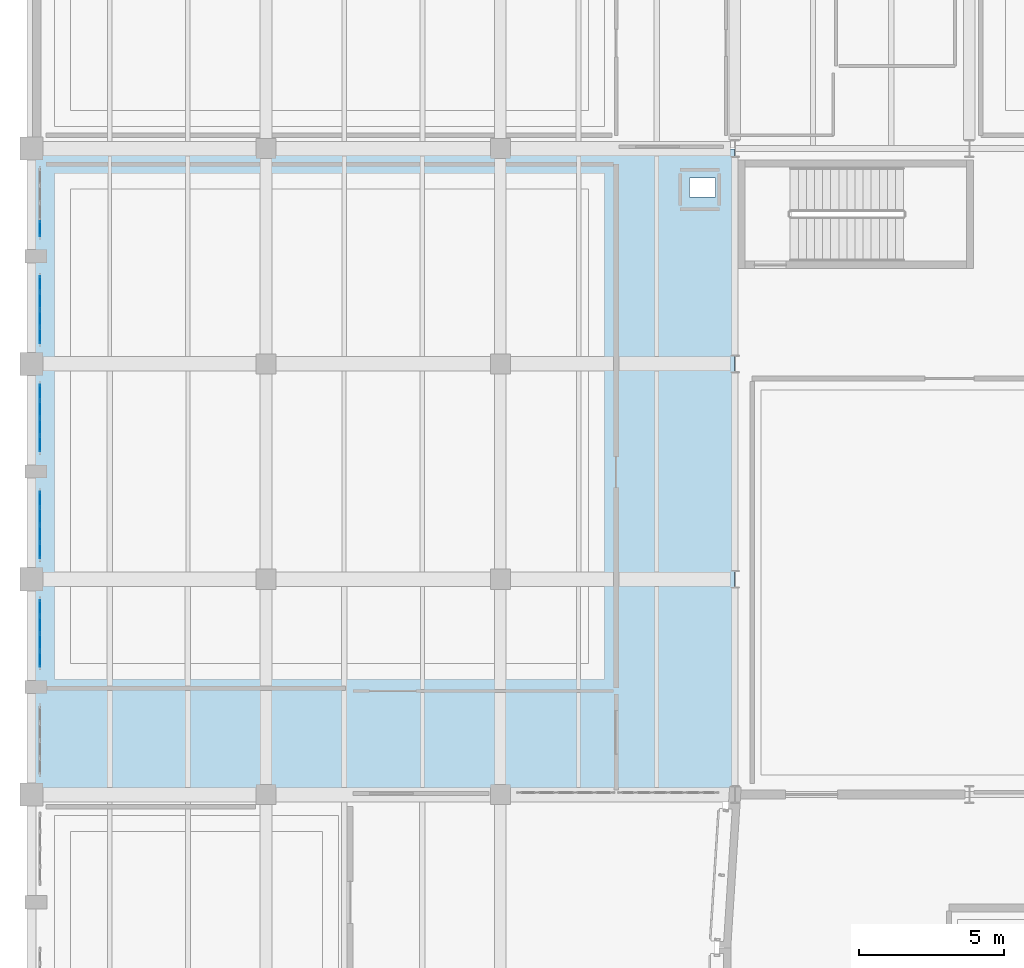
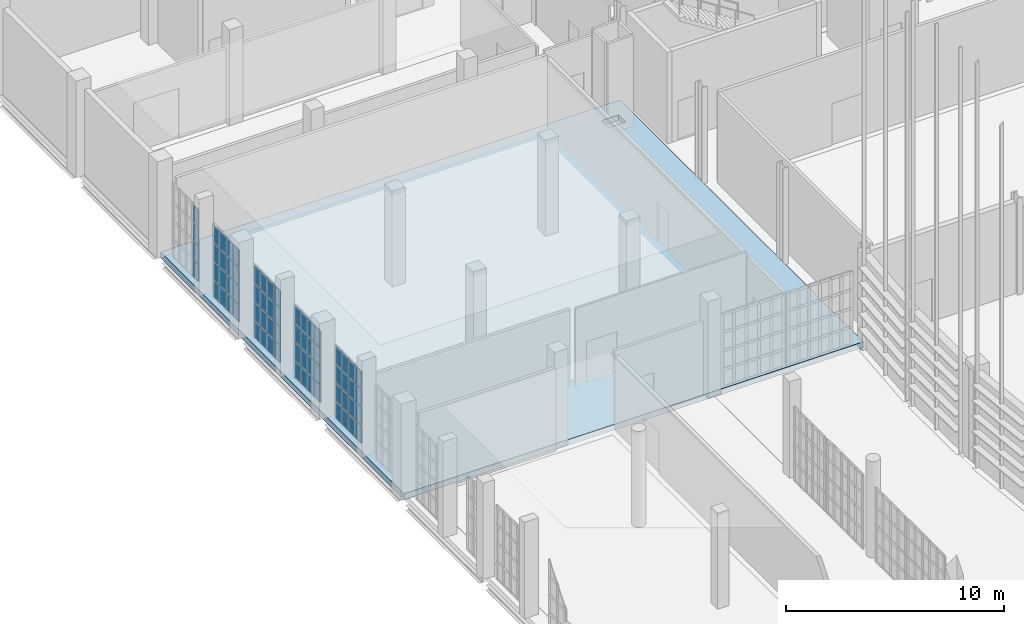
# One storey, part 336 of 372: 68 plates, 1 slab, 5 elements without a shape of their own.
"""IFC4 building model written with IfcOpenShell, lengths in metres."""

import ifcopenshell
import ifcopenshell.guid

model = None  # the IFC model being written
_history = None  # IfcOwnerHistory: only IFC2X3 demands one
_inside = {}  # id of a spatial element -> (the spatial element, [elements in it])
_under = {}  # id of a project, library or spatial element -> (it, [spatial elements below it])
_declared = {}  # id of a project -> (the project, [libraries it declares])
_typed = {}  # id of a type object -> (the type object, [elements of that type])
_made_of = {}  # id of a material, layer set ... -> (it, [elements and type objects made of it])


def new_model(schema):
    """Start an empty IFC model of exactly this schema.

    Asked for "IFC4X3", IfcOpenShell would pick the latest addendum, in which some entities
    have other attributes; the version numbers below select the first issue.
    IFC2X3 requires an IfcOwnerHistory on every rooted entity: one is made here for all.
    """
    global model, _history
    if schema == "IFC4X3":
        model = ifcopenshell.file(schema_version=(4, 3, 0, 0))
    else:
        model = ifcopenshell.file(schema=schema)
    _inside.clear()
    _under.clear()
    _declared.clear()
    _typed.clear()
    _made_of.clear()
    _history = None
    if model.schema == "IFC2X3":
        org = make("IfcOrganization", Name="unknown")
        user = make(
            "IfcPersonAndOrganization",
            ThePerson=make("IfcPerson", FamilyName="unknown"),
            TheOrganization=org,
        )
        app = make(
            "IfcApplication",
            ApplicationDeveloper=org,
            Version="unknown",
            ApplicationFullName="unknown",
            ApplicationIdentifier="unknown",
        )
        _history = make(
            "IfcOwnerHistory",
            OwningUser=user,
            OwningApplication=app,
            ChangeAction="ADDED",
            CreationDate=0,
        )
    return model


def make(cls, **values):
    """One entity of the class cls with the attributes given. An attribute that is None is left unset."""
    return model.create_entity(
        cls, **{name: value for name, value in values.items() if value is not None}
    )


def rooted(cls, **values):
    """An entity with a GlobalId (a new one), such as an element, a storey or a relation."""
    return make(cls, GlobalId=ifcopenshell.guid.new(), OwnerHistory=_history, **values)


def si_unit(unit_type, name, prefix=None):
    """IfcSIUnit, for example si_unit("LENGTHUNIT", "METRE", prefix="MILLI")."""
    return make("IfcSIUnit", UnitType=unit_type, Prefix=prefix, Name=name)


def assignment(units):
    """IfcUnitAssignment: the units of a project."""
    return None if units is None else make("IfcUnitAssignment", Units=units)


def point(xyz):
    """IfcCartesianPoint."""
    return None if xyz is None else make("IfcCartesianPoint", Coordinates=xyz)


def direction(xyz):
    """IfcDirection."""
    return None if xyz is None else make("IfcDirection", DirectionRatios=xyz)


def frame(location, z_axis=None, x_axis=None):
    """IfcAxis2Placement3D, a coordinate frame: its origin and axes. An axis left out is left unset."""
    return make(
        "IfcAxis2Placement3D",
        Location=point(location),
        Axis=direction(z_axis),
        RefDirection=direction(x_axis),
    )


def frame_2d(location, x_axis=None):
    """IfcAxis2Placement2D, a coordinate frame in the plane: its origin and x axis."""
    return make(
        "IfcAxis2Placement2D", Location=point(location), RefDirection=direction(x_axis)
    )


def origin():
    """The frame at (0, 0, 0) with its axes left unset."""
    return frame((0.0, 0.0, 0.0))


def origin_2d():
    """The frame at (0, 0) in the plane with its x axis left unset."""
    return frame_2d((0.0, 0.0))


def place(relative_to, where):
    """IfcLocalPlacement: puts the frame where relative to a parent placement (None: the world)."""
    return make(
        "IfcLocalPlacement", PlacementRelTo=relative_to, RelativePlacement=where
    )


def context(
    kind, dimensions, precision=None, world=None, true_north=None, identifier=None
):
    """IfcGeometricRepresentationContext, for example the 3D "Model" context."""
    return make(
        "IfcGeometricRepresentationContext",
        ContextIdentifier=identifier,
        ContextType=kind,
        CoordinateSpaceDimension=dimensions,
        Precision=precision,
        WorldCoordinateSystem=world,
        TrueNorth=true_north,
    )


def subcontext(parent, identifier, kind, view, scale=None):
    """IfcGeometricRepresentationSubContext, for example "Body" below "Model"."""
    return make(
        "IfcGeometricRepresentationSubContext",
        ContextIdentifier=identifier,
        ContextType=kind,
        ParentContext=parent,
        TargetScale=scale,
        TargetView=view,
    )


def project(units=None, contexts=None):
    """IfcProject with its units and contexts."""
    return rooted(
        "IfcProject",
        Name="project",
        RepresentationContexts=contexts,
        UnitsInContext=assignment(units),
    )


def spatial(cls, under=None, at=None, **own):
    """A site, building, storey or space (cls), placed at a placement, below another one or the project."""
    s = rooted(cls, ObjectPlacement=at, **own)
    if under is not None:
        _under.setdefault(under.id(), (under, []))[1].append(s)
    return s


def polyline(points):
    """IfcPolyline through the points."""
    return make("IfcPolyline", Points=[point(p) for p in points])


def profile(cls, at=None, kind="AREA", **sizes):
    """A parametric profile (cls). Its sizes go by their IFC names, for example OverallWidth=200.0."""
    return make(cls, ProfileType=kind, Position=at, **sizes)


def rectangle(**sizes):
    """IfcRectangleProfileDef."""
    return profile("IfcRectangleProfileDef", **sizes)


def outline(outer, holes=None, kind="AREA"):
    """IfcArbitraryClosedProfileDef: a profile drawn as a closed curve; with holes, ...WithVoids."""
    if holes is None:
        return make("IfcArbitraryClosedProfileDef", ProfileType=kind, OuterCurve=outer)
    return make(
        "IfcArbitraryProfileDefWithVoids",
        ProfileType=kind,
        OuterCurve=outer,
        InnerCurves=holes,
    )


def extrude(swept, where, along, depth):
    """IfcExtrudedAreaSolid: the profile swept, set in the frame where, extruded along a direction by depth."""
    return make(
        "IfcExtrudedAreaSolid",
        SweptArea=swept,
        Position=where,
        ExtrudedDirection=direction(along),
        Depth=depth,
    )


def shape(context_of_items, identifier, shape_type, items):
    """IfcShapeRepresentation: the items that make up one representation, for example the "Body"."""
    return make(
        "IfcShapeRepresentation",
        ContextOfItems=context_of_items,
        RepresentationIdentifier=identifier,
        RepresentationType=shape_type,
        Items=items,
    )


def material(Name=None, Category=None):
    """IfcMaterial."""
    return make("IfcMaterial", Name=Name, Category=Category)


def layer(
    of_material, thickness, ventilated=None, Name=None, Category=None, Priority=None
):
    """IfcMaterialLayer: one layer of a wall or slab, of a material (None: an air gap)."""
    return make(
        "IfcMaterialLayer",
        Material=of_material,
        LayerThickness=thickness,
        IsVentilated=ventilated,
        Name=Name,
        Category=Category,
        Priority=Priority,
    )


def layer_set(layers, Name=None):
    """IfcMaterialLayerSet."""
    return make("IfcMaterialLayerSet", MaterialLayers=layers, LayerSetName=Name)


def made_of(thing, what):
    """Note that an element or type object is made of a material, layer set ...; save() writes the relation."""
    if what is not None:
        _made_of.setdefault(what.id(), (what, []))[1].append(thing)
    return thing


def type_object(cls, material=None, **own):
    """A type object (cls), such as IfcWallType, which elements share."""
    return made_of(rooted(cls, **own), material)


def element(
    cls,
    number,
    at=None,
    inside=None,
    cuts=None,
    type_object=None,
    material=None,
    context=None,
    identifier="Body",
    shape_type=None,
    held_by="IfcProductDefinitionShape",
    body=None,
    shapes=None,
    **own,
):
    """One element of the class cls, such as IfcWall. Its Tag is "e" and its number.

    at: its placement. inside: the storey or other place that contains it. cuts: it is an
    opening in that element (IfcRelVoidsElement). A single representation is given by context,
    identifier, shape_type and body (its items); several are given by shapes. held_by: the class
    of the entity that holds the representations. save() writes the other relations.
    """
    e = rooted(cls, Tag="e%d" % number, ObjectPlacement=at, **own)
    if body is not None:
        shapes = [shape(context, identifier, shape_type, body)]
    if shapes is not None:
        e.Representation = make(held_by, Representations=shapes)
    if inside is not None:
        _inside.setdefault(inside.id(), (inside, []))[1].append(e)
    if cuts is not None:
        rooted(
            "IfcRelVoidsElement", RelatingBuildingElement=cuts, RelatedOpeningElement=e
        )
    if type_object is not None:
        _typed.setdefault(type_object.id(), (type_object, []))[1].append(e)
    return made_of(e, material)


def aggregate(whole, parts):
    """IfcRelAggregates: a whole, such as a stair, and the parts it consists of."""
    return rooted("IfcRelAggregates", RelatingObject=whole, RelatedObjects=parts)


def save(model, path):
    """Write the relations noted so far, then the file.

    IfcRelAggregates (storeys below a building ...), IfcRelContainedInSpatialStructure (elements
    in a storey), IfcRelDefinesByType, IfcRelAssociatesMaterial and IfcRelDeclares: one each for
    every whole, place, type object, material and project.
    """
    for whole, parts in _under.values():
        aggregate(whole, parts)
    for where, things in _inside.values():
        rooted(
            "IfcRelContainedInSpatialStructure",
            RelatedElements=things,
            RelatingStructure=where,
        )
    for kind, things in _typed.values():
        rooted("IfcRelDefinesByType", RelatedObjects=things, RelatingType=kind)
    for what, things in _made_of.values():
        rooted("IfcRelAssociatesMaterial", RelatedObjects=things, RelatingMaterial=what)
    for by, libraries in _declared.values():
        rooted("IfcRelDeclares", RelatingContext=by, RelatedDefinitions=libraries)
    model.write(path)


model = new_model("IFC4")

# Units and contexts
model_context = context("Model", 3, precision=1e-05, world=origin(), true_north=direction((0.0, 1.0)))
body_context = subcontext(model_context, "Body", "Model", "MODEL_VIEW")
ifc_project = project(units=[si_unit("LENGTHUNIT", "METRE"), si_unit("AREAUNIT", "SQUARE_METRE"), si_unit("VOLUMEUNIT", "CUBIC_METRE"), si_unit("PLANEANGLEUNIT", "RADIAN"), si_unit("MASSUNIT", "GRAM", prefix="KILO")], contexts=[model_context])

# Site, building, storey
site_placement = place(None, origin())
site = spatial("IfcSite", under=ifc_project, at=site_placement, CompositionType="ELEMENT")
building_placement = place(site_placement, origin())
building = spatial("IfcBuilding", under=site, at=building_placement, Name="Kaelora Sail Theatre", CompositionType="ELEMENT")
storey_placement = place(building_placement, origin())
storey = spatial("IfcBuildingStorey", under=building, at=storey_placement, Name="L00", CompositionType="ELEMENT", Elevation=0.0)

# Curtain wall, plates
ifc_material_1 = material(Name="Anodised aluminium and solar-control low-E IGU", Category="aluminium")
curtain_wall_type = type_object("IfcCurtainWallType", Name="ARC-CW-CW-FOY1", PredefinedType="NOTDEFINED", material=ifc_material_1)
curtain_wall_1_placement = place(storey_placement, origin())
curtain_wall_1 = element("IfcCurtainWall", 1, at=curtain_wall_1_placement, inside=storey, type_object=curtain_wall_type, Name="Glazed Colonnade/Courtyard Curtain Wall FW1-W-L00-02", PredefinedType="NOTDEFINED")
ifc_material_2 = material(Name="Solar-control laminated low-E glass", Category="glass")
ifc_layer_1 = layer(ifc_material_2, 0.031982421875)
ifc_layer_set_1 = layer_set([ifc_layer_1], Name="Solar-control laminated low-E glass")
plate_type = type_object("IfcPlateType", Name="ARC-CW-PNL", PredefinedType="CURTAIN_PANEL", material=ifc_layer_set_1)
plate_1_placement = place(storey_placement, frame((1.7900390625, 65.693115234375, 0.070068359375), z_axis=(0.0, 0.0, 1.0), x_axis=(0.0, 1.0, 0.0)))
plate_1 = element("IfcPlate", 2, at=plate_1_placement, type_object=plate_type, Name="CW-FOY1 panel 1.1", PredefinedType="CURTAIN_PANEL", context=body_context, shape_type="SweptSolid", body=[
    extrude(rectangle(XDim=0.516357421875, YDim=0.031982421875, at=origin_2d()), origin(), (0.0, 0.0, 1.0), 0.92919921875),
])
plate_2_placement = place(storey_placement, frame((1.7900390625, 65.693115234375, 1.069091796875), z_axis=(0.0, 0.0, 1.0), x_axis=(0.0, 1.0, 0.0)))
plate_2 = element("IfcPlate", 3, at=plate_2_placement, type_object=plate_type, Name="CW-FOY1 panel 1.2", PredefinedType="CURTAIN_PANEL", context=body_context, shape_type="SweptSolid", body=[
    extrude(rectangle(XDim=0.516357421875, YDim=0.031982421875, at=origin_2d()), origin(), (0.0, 0.0, 1.0), 0.96435546875),
])
plate_3_placement = place(storey_placement, frame((1.7900390625, 65.693115234375, 2.103515625), z_axis=(0.0, 0.0, 1.0), x_axis=(0.0, 1.0, 0.0)))
plate_3 = element("IfcPlate", 4, at=plate_3_placement, type_object=plate_type, Name="CW-FOY1 panel 1.3", PredefinedType="CURTAIN_PANEL", context=body_context, shape_type="SweptSolid", body=[
    extrude(rectangle(XDim=0.516357421875, YDim=0.031982421875, at=origin_2d()), origin(), (0.0, 0.0, 1.0), 0.964111328125),
])
plate_4_placement = place(storey_placement, frame((1.7900390625, 65.693115234375, 3.1376953125), z_axis=(0.0, 0.0, 1.0), x_axis=(0.0, 1.0, 0.0)))
plate_4 = element("IfcPlate", 5, at=plate_4_placement, type_object=plate_type, Name="CW-FOY1 panel 1.4", PredefinedType="CURTAIN_PANEL", context=body_context, shape_type="SweptSolid", body=[
    extrude(rectangle(XDim=0.516357421875, YDim=0.031982421875, at=origin_2d()), origin(), (0.0, 0.0, 1.0), 0.92919921875),
])
plate_5_placement = place(storey_placement, frame((1.7900390625, 66.284423828125, 0.070068359375), z_axis=(0.0, 0.0, 1.0), x_axis=(0.0, 1.0, 0.0)))
plate_5 = element("IfcPlate", 6, at=plate_5_placement, type_object=plate_type, Name="CW-FOY1 panel 2.1", PredefinedType="CURTAIN_PANEL", context=body_context, shape_type="SweptSolid", body=[
    extrude(rectangle(XDim=0.546142578125, YDim=0.031982421875, at=origin_2d()), origin(), (0.0, 0.0, 1.0), 0.92919921875),
])
plate_6_placement = place(storey_placement, frame((1.7900390625, 66.284423828125, 1.069091796875), z_axis=(0.0, 0.0, 1.0), x_axis=(0.0, 1.0, 0.0)))
plate_6 = element("IfcPlate", 7, at=plate_6_placement, type_object=plate_type, Name="CW-FOY1 panel 2.2", PredefinedType="CURTAIN_PANEL", context=body_context, shape_type="SweptSolid", body=[
    extrude(rectangle(XDim=0.546142578125, YDim=0.031982421875, at=origin_2d()), origin(), (0.0, 0.0, 1.0), 0.96435546875),
])
plate_7_placement = place(storey_placement, frame((1.7900390625, 66.284423828125, 2.103515625), z_axis=(0.0, 0.0, 1.0), x_axis=(0.0, 1.0, 0.0)))
plate_7 = element("IfcPlate", 8, at=plate_7_placement, type_object=plate_type, Name="CW-FOY1 panel 2.3", PredefinedType="CURTAIN_PANEL", context=body_context, shape_type="SweptSolid", body=[
    extrude(rectangle(XDim=0.546142578125, YDim=0.031982421875, at=origin_2d()), origin(), (0.0, 0.0, 1.0), 0.964111328125),
])
plate_8_placement = place(storey_placement, frame((1.7900390625, 66.284423828125, 3.1376953125), z_axis=(0.0, 0.0, 1.0), x_axis=(0.0, 1.0, 0.0)))
plate_8 = element("IfcPlate", 9, at=plate_8_placement, type_object=plate_type, Name="CW-FOY1 panel 2.4", PredefinedType="CURTAIN_PANEL", context=body_context, shape_type="SweptSolid", body=[
    extrude(rectangle(XDim=0.546142578125, YDim=0.031982421875, at=origin_2d()), origin(), (0.0, 0.0, 1.0), 0.92919921875),
])
plate_9_placement = place(storey_placement, frame((1.7900390625, 66.890625, 0.070068359375), z_axis=(0.0, 0.0, 1.0), x_axis=(0.0, 1.0, 0.0)))
plate_9 = element("IfcPlate", 10, at=plate_9_placement, type_object=plate_type, Name="CW-FOY1 panel 3.1", PredefinedType="CURTAIN_PANEL", context=body_context, shape_type="SweptSolid", body=[
    extrude(rectangle(XDim=0.546142578125, YDim=0.031982421875, at=origin_2d()), origin(), (0.0, 0.0, 1.0), 0.92919921875),
])
plate_10_placement = place(storey_placement, frame((1.7900390625, 66.890625, 1.069091796875), z_axis=(0.0, 0.0, 1.0), x_axis=(0.0, 1.0, 0.0)))
plate_10 = element("IfcPlate", 11, at=plate_10_placement, type_object=plate_type, Name="CW-FOY1 panel 3.2", PredefinedType="CURTAIN_PANEL", context=body_context, shape_type="SweptSolid", body=[
    extrude(rectangle(XDim=0.546142578125, YDim=0.031982421875, at=origin_2d()), origin(), (0.0, 0.0, 1.0), 0.96435546875),
])
plate_11_placement = place(storey_placement, frame((1.7900390625, 66.890625, 2.103515625), z_axis=(0.0, 0.0, 1.0), x_axis=(0.0, 1.0, 0.0)))
plate_11 = element("IfcPlate", 12, at=plate_11_placement, type_object=plate_type, Name="CW-FOY1 panel 3.3", PredefinedType="CURTAIN_PANEL", context=body_context, shape_type="SweptSolid", body=[
    extrude(rectangle(XDim=0.546142578125, YDim=0.031982421875, at=origin_2d()), origin(), (0.0, 0.0, 1.0), 0.964111328125),
])
plate_12_placement = place(storey_placement, frame((1.7900390625, 66.890625, 3.1376953125), z_axis=(0.0, 0.0, 1.0), x_axis=(0.0, 1.0, 0.0)))
plate_12 = element("IfcPlate", 13, at=plate_12_placement, type_object=plate_type, Name="CW-FOY1 panel 3.4", PredefinedType="CURTAIN_PANEL", context=body_context, shape_type="SweptSolid", body=[
    extrude(rectangle(XDim=0.546142578125, YDim=0.031982421875, at=origin_2d()), origin(), (0.0, 0.0, 1.0), 0.92919921875),
])
plate_13_placement = place(storey_placement, frame((1.7900390625, 67.48193359375, 0.070068359375), z_axis=(0.0, 0.0, 1.0), x_axis=(0.0, 1.0, 0.0)))
plate_13 = element("IfcPlate", 14, at=plate_13_placement, type_object=plate_type, Name="CW-FOY1 panel 4.1", PredefinedType="CURTAIN_PANEL", context=body_context, shape_type="SweptSolid", body=[
    extrude(rectangle(XDim=0.516357421875, YDim=0.031982421875, at=origin_2d()), origin(), (0.0, 0.0, 1.0), 0.92919921875),
])
plate_14_placement = place(storey_placement, frame((1.7900390625, 67.48193359375, 1.069091796875), z_axis=(0.0, 0.0, 1.0), x_axis=(0.0, 1.0, 0.0)))
plate_14 = element("IfcPlate", 15, at=plate_14_placement, type_object=plate_type, Name="CW-FOY1 panel 4.2", PredefinedType="CURTAIN_PANEL", context=body_context, shape_type="SweptSolid", body=[
    extrude(rectangle(XDim=0.516357421875, YDim=0.031982421875, at=origin_2d()), origin(), (0.0, 0.0, 1.0), 0.96435546875),
])
plate_15_placement = place(storey_placement, frame((1.7900390625, 67.48193359375, 2.103515625), z_axis=(0.0, 0.0, 1.0), x_axis=(0.0, 1.0, 0.0)))
plate_15 = element("IfcPlate", 16, at=plate_15_placement, type_object=plate_type, Name="CW-FOY1 panel 4.3", PredefinedType="CURTAIN_PANEL", context=body_context, shape_type="SweptSolid", body=[
    extrude(rectangle(XDim=0.516357421875, YDim=0.031982421875, at=origin_2d()), origin(), (0.0, 0.0, 1.0), 0.964111328125),
])
plate_16_placement = place(storey_placement, frame((1.7900390625, 67.48193359375, 3.1376953125), z_axis=(0.0, 0.0, 1.0), x_axis=(0.0, 1.0, 0.0)))
plate_16 = element("IfcPlate", 17, at=plate_16_placement, type_object=plate_type, Name="CW-FOY1 panel 4.4", PredefinedType="CURTAIN_PANEL", context=body_context, shape_type="SweptSolid", body=[
    extrude(rectangle(XDim=0.516357421875, YDim=0.031982421875, at=origin_2d()), origin(), (0.0, 0.0, 1.0), 0.92919921875),
])
aggregate(curtain_wall_1, [plate_1, plate_2, plate_3, plate_4, plate_5, plate_6, plate_7, plate_8, plate_9, plate_10, plate_11, plate_12, plate_13, plate_14, plate_15, plate_16])

curtain_wall_2_placement = place(storey_placement, origin())
curtain_wall_2 = element("IfcCurtainWall", 18, at=curtain_wall_2_placement, inside=storey, type_object=curtain_wall_type, Name="Glazed Colonnade/Courtyard Curtain Wall FW1-W-L00-03", PredefinedType="NOTDEFINED")
plate_17_placement = place(storey_placement, frame((1.7900390625, 69.438232421875, 0.070068359375), z_axis=(0.0, 0.0, 1.0), x_axis=(0.0, 1.0, 0.0)))
plate_17 = element("IfcPlate", 19, at=plate_17_placement, type_object=plate_type, Name="CW-FOY1 panel 1.1", PredefinedType="CURTAIN_PANEL", context=body_context, shape_type="SweptSolid", body=[
    extrude(rectangle(XDim=0.516357421875, YDim=0.031982421875, at=origin_2d()), origin(), (0.0, 0.0, 1.0), 0.92919921875),
])
plate_18_placement = place(storey_placement, frame((1.7900390625, 69.438232421875, 1.069091796875), z_axis=(0.0, 0.0, 1.0), x_axis=(0.0, 1.0, 0.0)))
plate_18 = element("IfcPlate", 20, at=plate_18_placement, type_object=plate_type, Name="CW-FOY1 panel 1.2", PredefinedType="CURTAIN_PANEL", context=body_context, shape_type="SweptSolid", body=[
    extrude(rectangle(XDim=0.516357421875, YDim=0.031982421875, at=origin_2d()), origin(), (0.0, 0.0, 1.0), 0.96435546875),
])
plate_19_placement = place(storey_placement, frame((1.7900390625, 69.438232421875, 2.103515625), z_axis=(0.0, 0.0, 1.0), x_axis=(0.0, 1.0, 0.0)))
plate_19 = element("IfcPlate", 21, at=plate_19_placement, type_object=plate_type, Name="CW-FOY1 panel 1.3", PredefinedType="CURTAIN_PANEL", context=body_context, shape_type="SweptSolid", body=[
    extrude(rectangle(XDim=0.516357421875, YDim=0.031982421875, at=origin_2d()), origin(), (0.0, 0.0, 1.0), 0.964111328125),
])
plate_20_placement = place(storey_placement, frame((1.7900390625, 69.438232421875, 3.1376953125), z_axis=(0.0, 0.0, 1.0), x_axis=(0.0, 1.0, 0.0)))
plate_20 = element("IfcPlate", 22, at=plate_20_placement, type_object=plate_type, Name="CW-FOY1 panel 1.4", PredefinedType="CURTAIN_PANEL", context=body_context, shape_type="SweptSolid", body=[
    extrude(rectangle(XDim=0.516357421875, YDim=0.031982421875, at=origin_2d()), origin(), (0.0, 0.0, 1.0), 0.92919921875),
])
plate_21_placement = place(storey_placement, frame((1.7900390625, 70.029296875, 0.070068359375), z_axis=(0.0, 0.0, 1.0), x_axis=(0.0, 1.0, 0.0)))
plate_21 = element("IfcPlate", 23, at=plate_21_placement, type_object=plate_type, Name="CW-FOY1 panel 2.1", PredefinedType="CURTAIN_PANEL", context=body_context, shape_type="SweptSolid", body=[
    extrude(rectangle(XDim=0.546142578125, YDim=0.031982421875, at=origin_2d()), origin(), (0.0, 0.0, 1.0), 0.92919921875),
])
plate_22_placement = place(storey_placement, frame((1.7900390625, 70.029296875, 1.069091796875), z_axis=(0.0, 0.0, 1.0), x_axis=(0.0, 1.0, 0.0)))
plate_22 = element("IfcPlate", 24, at=plate_22_placement, type_object=plate_type, Name="CW-FOY1 panel 2.2", PredefinedType="CURTAIN_PANEL", context=body_context, shape_type="SweptSolid", body=[
    extrude(rectangle(XDim=0.546142578125, YDim=0.031982421875, at=origin_2d()), origin(), (0.0, 0.0, 1.0), 0.96435546875),
])
plate_23_placement = place(storey_placement, frame((1.7900390625, 70.029296875, 2.103515625), z_axis=(0.0, 0.0, 1.0), x_axis=(0.0, 1.0, 0.0)))
plate_23 = element("IfcPlate", 25, at=plate_23_placement, type_object=plate_type, Name="CW-FOY1 panel 2.3", PredefinedType="CURTAIN_PANEL", context=body_context, shape_type="SweptSolid", body=[
    extrude(rectangle(XDim=0.546142578125, YDim=0.031982421875, at=origin_2d()), origin(), (0.0, 0.0, 1.0), 0.964111328125),
])
plate_24_placement = place(storey_placement, frame((1.7900390625, 70.029296875, 3.1376953125), z_axis=(0.0, 0.0, 1.0), x_axis=(0.0, 1.0, 0.0)))
plate_24 = element("IfcPlate", 26, at=plate_24_placement, type_object=plate_type, Name="CW-FOY1 panel 2.4", PredefinedType="CURTAIN_PANEL", context=body_context, shape_type="SweptSolid", body=[
    extrude(rectangle(XDim=0.546142578125, YDim=0.031982421875, at=origin_2d()), origin(), (0.0, 0.0, 1.0), 0.92919921875),
])
plate_25_placement = place(storey_placement, frame((1.7900390625, 70.6357421875, 0.070068359375), z_axis=(0.0, 0.0, 1.0), x_axis=(0.0, 1.0, 0.0)))
plate_25 = element("IfcPlate", 27, at=plate_25_placement, type_object=plate_type, Name="CW-FOY1 panel 3.1", PredefinedType="CURTAIN_PANEL", context=body_context, shape_type="SweptSolid", body=[
    extrude(rectangle(XDim=0.546142578125, YDim=0.031982421875, at=origin_2d()), origin(), (0.0, 0.0, 1.0), 0.92919921875),
])
plate_26_placement = place(storey_placement, frame((1.7900390625, 70.6357421875, 1.069091796875), z_axis=(0.0, 0.0, 1.0), x_axis=(0.0, 1.0, 0.0)))
plate_26 = element("IfcPlate", 28, at=plate_26_placement, type_object=plate_type, Name="CW-FOY1 panel 3.2", PredefinedType="CURTAIN_PANEL", context=body_context, shape_type="SweptSolid", body=[
    extrude(rectangle(XDim=0.546142578125, YDim=0.031982421875, at=origin_2d()), origin(), (0.0, 0.0, 1.0), 0.96435546875),
])
plate_27_placement = place(storey_placement, frame((1.7900390625, 70.6357421875, 2.103515625), z_axis=(0.0, 0.0, 1.0), x_axis=(0.0, 1.0, 0.0)))
plate_27 = element("IfcPlate", 29, at=plate_27_placement, type_object=plate_type, Name="CW-FOY1 panel 3.3", PredefinedType="CURTAIN_PANEL", context=body_context, shape_type="SweptSolid", body=[
    extrude(rectangle(XDim=0.546142578125, YDim=0.031982421875, at=origin_2d()), origin(), (0.0, 0.0, 1.0), 0.964111328125),
])
plate_28_placement = place(storey_placement, frame((1.7900390625, 70.6357421875, 3.1376953125), z_axis=(0.0, 0.0, 1.0), x_axis=(0.0, 1.0, 0.0)))
plate_28 = element("IfcPlate", 30, at=plate_28_placement, type_object=plate_type, Name="CW-FOY1 panel 3.4", PredefinedType="CURTAIN_PANEL", context=body_context, shape_type="SweptSolid", body=[
    extrude(rectangle(XDim=0.546142578125, YDim=0.031982421875, at=origin_2d()), origin(), (0.0, 0.0, 1.0), 0.92919921875),
])
plate_29_placement = place(storey_placement, frame((1.7900390625, 71.226806640625, 0.070068359375), z_axis=(0.0, 0.0, 1.0), x_axis=(0.0, 1.0, 0.0)))
plate_29 = element("IfcPlate", 31, at=plate_29_placement, type_object=plate_type, Name="CW-FOY1 panel 4.1", PredefinedType="CURTAIN_PANEL", context=body_context, shape_type="SweptSolid", body=[
    extrude(rectangle(XDim=0.516357421875, YDim=0.031982421875, at=origin_2d()), origin(), (0.0, 0.0, 1.0), 0.92919921875),
])
plate_30_placement = place(storey_placement, frame((1.7900390625, 71.226806640625, 1.069091796875), z_axis=(0.0, 0.0, 1.0), x_axis=(0.0, 1.0, 0.0)))
plate_30 = element("IfcPlate", 32, at=plate_30_placement, type_object=plate_type, Name="CW-FOY1 panel 4.2", PredefinedType="CURTAIN_PANEL", context=body_context, shape_type="SweptSolid", body=[
    extrude(rectangle(XDim=0.516357421875, YDim=0.031982421875, at=origin_2d()), origin(), (0.0, 0.0, 1.0), 0.96435546875),
])
plate_31_placement = place(storey_placement, frame((1.7900390625, 71.226806640625, 2.103515625), z_axis=(0.0, 0.0, 1.0), x_axis=(0.0, 1.0, 0.0)))
plate_31 = element("IfcPlate", 33, at=plate_31_placement, type_object=plate_type, Name="CW-FOY1 panel 4.3", PredefinedType="CURTAIN_PANEL", context=body_context, shape_type="SweptSolid", body=[
    extrude(rectangle(XDim=0.516357421875, YDim=0.031982421875, at=origin_2d()), origin(), (0.0, 0.0, 1.0), 0.964111328125),
])
plate_32_placement = place(storey_placement, frame((1.7900390625, 71.226806640625, 3.1376953125), z_axis=(0.0, 0.0, 1.0), x_axis=(0.0, 1.0, 0.0)))
plate_32 = element("IfcPlate", 34, at=plate_32_placement, type_object=plate_type, Name="CW-FOY1 panel 4.4", PredefinedType="CURTAIN_PANEL", context=body_context, shape_type="SweptSolid", body=[
    extrude(rectangle(XDim=0.516357421875, YDim=0.031982421875, at=origin_2d()), origin(), (0.0, 0.0, 1.0), 0.92919921875),
])
aggregate(curtain_wall_2, [plate_17, plate_18, plate_19, plate_20, plate_21, plate_22, plate_23, plate_24, plate_25, plate_26, plate_27, plate_28, plate_29, plate_30, plate_31, plate_32])

curtain_wall_3_placement = place(storey_placement, origin())
curtain_wall_3 = element("IfcCurtainWall", 35, at=curtain_wall_3_placement, inside=storey, type_object=curtain_wall_type, Name="Glazed Colonnade/Courtyard Curtain Wall FW1-W-L00-04", PredefinedType="NOTDEFINED")
plate_33_placement = place(storey_placement, frame((1.7900390625, 73.133056640625, 0.070068359375), z_axis=(0.0, 0.0, 1.0), x_axis=(0.0, 1.0, 0.0)))
plate_33 = element("IfcPlate", 36, at=plate_33_placement, type_object=plate_type, Name="CW-FOY1 panel 1.1", PredefinedType="CURTAIN_PANEL", context=body_context, shape_type="SweptSolid", body=[
    extrude(rectangle(XDim=0.516357421875, YDim=0.031982421875, at=origin_2d()), origin(), (0.0, 0.0, 1.0), 0.92919921875),
])
plate_34_placement = place(storey_placement, frame((1.7900390625, 73.133056640625, 1.069091796875), z_axis=(0.0, 0.0, 1.0), x_axis=(0.0, 1.0, 0.0)))
plate_34 = element("IfcPlate", 37, at=plate_34_placement, type_object=plate_type, Name="CW-FOY1 panel 1.2", PredefinedType="CURTAIN_PANEL", context=body_context, shape_type="SweptSolid", body=[
    extrude(rectangle(XDim=0.516357421875, YDim=0.031982421875, at=origin_2d()), origin(), (0.0, 0.0, 1.0), 0.96435546875),
])
plate_35_placement = place(storey_placement, frame((1.7900390625, 73.133056640625, 2.103515625), z_axis=(0.0, 0.0, 1.0), x_axis=(0.0, 1.0, 0.0)))
plate_35 = element("IfcPlate", 38, at=plate_35_placement, type_object=plate_type, Name="CW-FOY1 panel 1.3", PredefinedType="CURTAIN_PANEL", context=body_context, shape_type="SweptSolid", body=[
    extrude(rectangle(XDim=0.516357421875, YDim=0.031982421875, at=origin_2d()), origin(), (0.0, 0.0, 1.0), 0.964111328125),
])
plate_36_placement = place(storey_placement, frame((1.7900390625, 73.133056640625, 3.1376953125), z_axis=(0.0, 0.0, 1.0), x_axis=(0.0, 1.0, 0.0)))
plate_36 = element("IfcPlate", 39, at=plate_36_placement, type_object=plate_type, Name="CW-FOY1 panel 1.4", PredefinedType="CURTAIN_PANEL", context=body_context, shape_type="SweptSolid", body=[
    extrude(rectangle(XDim=0.516357421875, YDim=0.031982421875, at=origin_2d()), origin(), (0.0, 0.0, 1.0), 0.92919921875),
])
plate_37_placement = place(storey_placement, frame((1.7900390625, 73.724365234375, 0.070068359375), z_axis=(0.0, 0.0, 1.0), x_axis=(0.0, 1.0, 0.0)))
plate_37 = element("IfcPlate", 40, at=plate_37_placement, type_object=plate_type, Name="CW-FOY1 panel 2.1", PredefinedType="CURTAIN_PANEL", context=body_context, shape_type="SweptSolid", body=[
    extrude(rectangle(XDim=0.546142578125, YDim=0.031982421875, at=origin_2d()), origin(), (0.0, 0.0, 1.0), 0.92919921875),
])
plate_38_placement = place(storey_placement, frame((1.7900390625, 73.724365234375, 1.069091796875), z_axis=(0.0, 0.0, 1.0), x_axis=(0.0, 1.0, 0.0)))
plate_38 = element("IfcPlate", 41, at=plate_38_placement, type_object=plate_type, Name="CW-FOY1 panel 2.2", PredefinedType="CURTAIN_PANEL", context=body_context, shape_type="SweptSolid", body=[
    extrude(rectangle(XDim=0.546142578125, YDim=0.031982421875, at=origin_2d()), origin(), (0.0, 0.0, 1.0), 0.96435546875),
])
plate_39_placement = place(storey_placement, frame((1.7900390625, 73.724365234375, 2.103515625), z_axis=(0.0, 0.0, 1.0), x_axis=(0.0, 1.0, 0.0)))
plate_39 = element("IfcPlate", 42, at=plate_39_placement, type_object=plate_type, Name="CW-FOY1 panel 2.3", PredefinedType="CURTAIN_PANEL", context=body_context, shape_type="SweptSolid", body=[
    extrude(rectangle(XDim=0.546142578125, YDim=0.031982421875, at=origin_2d()), origin(), (0.0, 0.0, 1.0), 0.964111328125),
])
plate_40_placement = place(storey_placement, frame((1.7900390625, 73.724365234375, 3.1376953125), z_axis=(0.0, 0.0, 1.0), x_axis=(0.0, 1.0, 0.0)))
plate_40 = element("IfcPlate", 43, at=plate_40_placement, type_object=plate_type, Name="CW-FOY1 panel 2.4", PredefinedType="CURTAIN_PANEL", context=body_context, shape_type="SweptSolid", body=[
    extrude(rectangle(XDim=0.546142578125, YDim=0.031982421875, at=origin_2d()), origin(), (0.0, 0.0, 1.0), 0.92919921875),
])
plate_41_placement = place(storey_placement, frame((1.7900390625, 74.33056640625, 0.070068359375), z_axis=(0.0, 0.0, 1.0), x_axis=(0.0, 1.0, 0.0)))
plate_41 = element("IfcPlate", 44, at=plate_41_placement, type_object=plate_type, Name="CW-FOY1 panel 3.1", PredefinedType="CURTAIN_PANEL", context=body_context, shape_type="SweptSolid", body=[
    extrude(rectangle(XDim=0.546142578125, YDim=0.031982421875, at=origin_2d()), origin(), (0.0, 0.0, 1.0), 0.92919921875),
])
plate_42_placement = place(storey_placement, frame((1.7900390625, 74.33056640625, 1.069091796875), z_axis=(0.0, 0.0, 1.0), x_axis=(0.0, 1.0, 0.0)))
plate_42 = element("IfcPlate", 45, at=plate_42_placement, type_object=plate_type, Name="CW-FOY1 panel 3.2", PredefinedType="CURTAIN_PANEL", context=body_context, shape_type="SweptSolid", body=[
    extrude(rectangle(XDim=0.546142578125, YDim=0.031982421875, at=origin_2d()), origin(), (0.0, 0.0, 1.0), 0.96435546875),
])
plate_43_placement = place(storey_placement, frame((1.7900390625, 74.33056640625, 2.103515625), z_axis=(0.0, 0.0, 1.0), x_axis=(0.0, 1.0, 0.0)))
plate_43 = element("IfcPlate", 46, at=plate_43_placement, type_object=plate_type, Name="CW-FOY1 panel 3.3", PredefinedType="CURTAIN_PANEL", context=body_context, shape_type="SweptSolid", body=[
    extrude(rectangle(XDim=0.546142578125, YDim=0.031982421875, at=origin_2d()), origin(), (0.0, 0.0, 1.0), 0.964111328125),
])
plate_44_placement = place(storey_placement, frame((1.7900390625, 74.33056640625, 3.1376953125), z_axis=(0.0, 0.0, 1.0), x_axis=(0.0, 1.0, 0.0)))
plate_44 = element("IfcPlate", 47, at=plate_44_placement, type_object=plate_type, Name="CW-FOY1 panel 3.4", PredefinedType="CURTAIN_PANEL", context=body_context, shape_type="SweptSolid", body=[
    extrude(rectangle(XDim=0.546142578125, YDim=0.031982421875, at=origin_2d()), origin(), (0.0, 0.0, 1.0), 0.92919921875),
])
plate_45_placement = place(storey_placement, frame((1.7900390625, 74.921875, 0.070068359375), z_axis=(0.0, 0.0, 1.0), x_axis=(0.0, 1.0, 0.0)))
plate_45 = element("IfcPlate", 48, at=plate_45_placement, type_object=plate_type, Name="CW-FOY1 panel 4.1", PredefinedType="CURTAIN_PANEL", context=body_context, shape_type="SweptSolid", body=[
    extrude(rectangle(XDim=0.516357421875, YDim=0.031982421875, at=origin_2d()), origin(), (0.0, 0.0, 1.0), 0.92919921875),
])
plate_46_placement = place(storey_placement, frame((1.7900390625, 74.921875, 1.069091796875), z_axis=(0.0, 0.0, 1.0), x_axis=(0.0, 1.0, 0.0)))
plate_46 = element("IfcPlate", 49, at=plate_46_placement, type_object=plate_type, Name="CW-FOY1 panel 4.2", PredefinedType="CURTAIN_PANEL", context=body_context, shape_type="SweptSolid", body=[
    extrude(rectangle(XDim=0.516357421875, YDim=0.031982421875, at=origin_2d()), origin(), (0.0, 0.0, 1.0), 0.96435546875),
])
plate_47_placement = place(storey_placement, frame((1.7900390625, 74.921875, 2.103515625), z_axis=(0.0, 0.0, 1.0), x_axis=(0.0, 1.0, 0.0)))
plate_47 = element("IfcPlate", 50, at=plate_47_placement, type_object=plate_type, Name="CW-FOY1 panel 4.3", PredefinedType="CURTAIN_PANEL", context=body_context, shape_type="SweptSolid", body=[
    extrude(rectangle(XDim=0.516357421875, YDim=0.031982421875, at=origin_2d()), origin(), (0.0, 0.0, 1.0), 0.964111328125),
])
plate_48_placement = place(storey_placement, frame((1.7900390625, 74.921875, 3.1376953125), z_axis=(0.0, 0.0, 1.0), x_axis=(0.0, 1.0, 0.0)))
plate_48 = element("IfcPlate", 51, at=plate_48_placement, type_object=plate_type, Name="CW-FOY1 panel 4.4", PredefinedType="CURTAIN_PANEL", context=body_context, shape_type="SweptSolid", body=[
    extrude(rectangle(XDim=0.516357421875, YDim=0.031982421875, at=origin_2d()), origin(), (0.0, 0.0, 1.0), 0.92919921875),
])
aggregate(curtain_wall_3, [plate_33, plate_34, plate_35, plate_36, plate_37, plate_38, plate_39, plate_40, plate_41, plate_42, plate_43, plate_44, plate_45, plate_46, plate_47, plate_48])

curtain_wall_4_placement = place(storey_placement, origin())
curtain_wall_4 = element("IfcCurtainWall", 52, at=curtain_wall_4_placement, inside=storey, type_object=curtain_wall_type, Name="Glazed Colonnade/Courtyard Curtain Wall FW1-W-L00-05", PredefinedType="NOTDEFINED")
plate_49_placement = place(storey_placement, frame((1.7900390625, 76.878173828125, 0.070068359375), z_axis=(0.0, 0.0, 1.0), x_axis=(0.0, 1.0, 0.0)))
plate_49 = element("IfcPlate", 53, at=plate_49_placement, type_object=plate_type, Name="CW-FOY1 panel 1.1", PredefinedType="CURTAIN_PANEL", context=body_context, shape_type="SweptSolid", body=[
    extrude(rectangle(XDim=0.516357421875, YDim=0.031982421875, at=origin_2d()), origin(), (0.0, 0.0, 1.0), 0.92919921875),
])
plate_50_placement = place(storey_placement, frame((1.7900390625, 76.878173828125, 1.069091796875), z_axis=(0.0, 0.0, 1.0), x_axis=(0.0, 1.0, 0.0)))
plate_50 = element("IfcPlate", 54, at=plate_50_placement, type_object=plate_type, Name="CW-FOY1 panel 1.2", PredefinedType="CURTAIN_PANEL", context=body_context, shape_type="SweptSolid", body=[
    extrude(rectangle(XDim=0.516357421875, YDim=0.031982421875, at=origin_2d()), origin(), (0.0, 0.0, 1.0), 0.96435546875),
])
plate_51_placement = place(storey_placement, frame((1.7900390625, 76.878173828125, 2.103515625), z_axis=(0.0, 0.0, 1.0), x_axis=(0.0, 1.0, 0.0)))
plate_51 = element("IfcPlate", 55, at=plate_51_placement, type_object=plate_type, Name="CW-FOY1 panel 1.3", PredefinedType="CURTAIN_PANEL", context=body_context, shape_type="SweptSolid", body=[
    extrude(rectangle(XDim=0.516357421875, YDim=0.031982421875, at=origin_2d()), origin(), (0.0, 0.0, 1.0), 0.964111328125),
])
plate_52_placement = place(storey_placement, frame((1.7900390625, 76.878173828125, 3.1376953125), z_axis=(0.0, 0.0, 1.0), x_axis=(0.0, 1.0, 0.0)))
plate_52 = element("IfcPlate", 56, at=plate_52_placement, type_object=plate_type, Name="CW-FOY1 panel 1.4", PredefinedType="CURTAIN_PANEL", context=body_context, shape_type="SweptSolid", body=[
    extrude(rectangle(XDim=0.516357421875, YDim=0.031982421875, at=origin_2d()), origin(), (0.0, 0.0, 1.0), 0.92919921875),
])
plate_53_placement = place(storey_placement, frame((1.7900390625, 77.469482421875, 0.070068359375), z_axis=(0.0, 0.0, 1.0), x_axis=(0.0, 1.0, 0.0)))
plate_53 = element("IfcPlate", 57, at=plate_53_placement, type_object=plate_type, Name="CW-FOY1 panel 2.1", PredefinedType="CURTAIN_PANEL", context=body_context, shape_type="SweptSolid", body=[
    extrude(rectangle(XDim=0.546142578125, YDim=0.031982421875, at=origin_2d()), origin(), (0.0, 0.0, 1.0), 0.92919921875),
])
plate_54_placement = place(storey_placement, frame((1.7900390625, 77.469482421875, 1.069091796875), z_axis=(0.0, 0.0, 1.0), x_axis=(0.0, 1.0, 0.0)))
plate_54 = element("IfcPlate", 58, at=plate_54_placement, type_object=plate_type, Name="CW-FOY1 panel 2.2", PredefinedType="CURTAIN_PANEL", context=body_context, shape_type="SweptSolid", body=[
    extrude(rectangle(XDim=0.546142578125, YDim=0.031982421875, at=origin_2d()), origin(), (0.0, 0.0, 1.0), 0.96435546875),
])
plate_55_placement = place(storey_placement, frame((1.7900390625, 77.469482421875, 2.103515625), z_axis=(0.0, 0.0, 1.0), x_axis=(0.0, 1.0, 0.0)))
plate_55 = element("IfcPlate", 59, at=plate_55_placement, type_object=plate_type, Name="CW-FOY1 panel 2.3", PredefinedType="CURTAIN_PANEL", context=body_context, shape_type="SweptSolid", body=[
    extrude(rectangle(XDim=0.546142578125, YDim=0.031982421875, at=origin_2d()), origin(), (0.0, 0.0, 1.0), 0.964111328125),
])
plate_56_placement = place(storey_placement, frame((1.7900390625, 77.469482421875, 3.1376953125), z_axis=(0.0, 0.0, 1.0), x_axis=(0.0, 1.0, 0.0)))
plate_56 = element("IfcPlate", 60, at=plate_56_placement, type_object=plate_type, Name="CW-FOY1 panel 2.4", PredefinedType="CURTAIN_PANEL", context=body_context, shape_type="SweptSolid", body=[
    extrude(rectangle(XDim=0.546142578125, YDim=0.031982421875, at=origin_2d()), origin(), (0.0, 0.0, 1.0), 0.92919921875),
])
plate_57_placement = place(storey_placement, frame((1.7900390625, 78.07568359375, 0.070068359375), z_axis=(0.0, 0.0, 1.0), x_axis=(0.0, 1.0, 0.0)))
plate_57 = element("IfcPlate", 61, at=plate_57_placement, type_object=plate_type, Name="CW-FOY1 panel 3.1", PredefinedType="CURTAIN_PANEL", context=body_context, shape_type="SweptSolid", body=[
    extrude(rectangle(XDim=0.546142578125, YDim=0.031982421875, at=origin_2d()), origin(), (0.0, 0.0, 1.0), 0.92919921875),
])
plate_58_placement = place(storey_placement, frame((1.7900390625, 78.07568359375, 1.069091796875), z_axis=(0.0, 0.0, 1.0), x_axis=(0.0, 1.0, 0.0)))
plate_58 = element("IfcPlate", 62, at=plate_58_placement, type_object=plate_type, Name="CW-FOY1 panel 3.2", PredefinedType="CURTAIN_PANEL", context=body_context, shape_type="SweptSolid", body=[
    extrude(rectangle(XDim=0.546142578125, YDim=0.031982421875, at=origin_2d()), origin(), (0.0, 0.0, 1.0), 0.96435546875),
])
plate_59_placement = place(storey_placement, frame((1.7900390625, 78.07568359375, 2.103515625), z_axis=(0.0, 0.0, 1.0), x_axis=(0.0, 1.0, 0.0)))
plate_59 = element("IfcPlate", 63, at=plate_59_placement, type_object=plate_type, Name="CW-FOY1 panel 3.3", PredefinedType="CURTAIN_PANEL", context=body_context, shape_type="SweptSolid", body=[
    extrude(rectangle(XDim=0.546142578125, YDim=0.031982421875, at=origin_2d()), origin(), (0.0, 0.0, 1.0), 0.964111328125),
])
plate_60_placement = place(storey_placement, frame((1.7900390625, 78.07568359375, 3.1376953125), z_axis=(0.0, 0.0, 1.0), x_axis=(0.0, 1.0, 0.0)))
plate_60 = element("IfcPlate", 64, at=plate_60_placement, type_object=plate_type, Name="CW-FOY1 panel 3.4", PredefinedType="CURTAIN_PANEL", context=body_context, shape_type="SweptSolid", body=[
    extrude(rectangle(XDim=0.546142578125, YDim=0.031982421875, at=origin_2d()), origin(), (0.0, 0.0, 1.0), 0.92919921875),
])
plate_61_placement = place(storey_placement, frame((1.7900390625, 78.6669921875, 0.070068359375), z_axis=(0.0, 0.0, 1.0), x_axis=(0.0, 1.0, 0.0)))
plate_61 = element("IfcPlate", 65, at=plate_61_placement, type_object=plate_type, Name="CW-FOY1 panel 4.1", PredefinedType="CURTAIN_PANEL", context=body_context, shape_type="SweptSolid", body=[
    extrude(rectangle(XDim=0.516357421875, YDim=0.031982421875, at=origin_2d()), origin(), (0.0, 0.0, 1.0), 0.92919921875),
])
plate_62_placement = place(storey_placement, frame((1.7900390625, 78.6669921875, 1.069091796875), z_axis=(0.0, 0.0, 1.0), x_axis=(0.0, 1.0, 0.0)))
plate_62 = element("IfcPlate", 66, at=plate_62_placement, type_object=plate_type, Name="CW-FOY1 panel 4.2", PredefinedType="CURTAIN_PANEL", context=body_context, shape_type="SweptSolid", body=[
    extrude(rectangle(XDim=0.516357421875, YDim=0.031982421875, at=origin_2d()), origin(), (0.0, 0.0, 1.0), 0.96435546875),
])
plate_63_placement = place(storey_placement, frame((1.7900390625, 78.6669921875, 2.103515625), z_axis=(0.0, 0.0, 1.0), x_axis=(0.0, 1.0, 0.0)))
plate_63 = element("IfcPlate", 67, at=plate_63_placement, type_object=plate_type, Name="CW-FOY1 panel 4.3", PredefinedType="CURTAIN_PANEL", context=body_context, shape_type="SweptSolid", body=[
    extrude(rectangle(XDim=0.516357421875, YDim=0.031982421875, at=origin_2d()), origin(), (0.0, 0.0, 1.0), 0.964111328125),
])
plate_64_placement = place(storey_placement, frame((1.7900390625, 78.6669921875, 3.1376953125), z_axis=(0.0, 0.0, 1.0), x_axis=(0.0, 1.0, 0.0)))
plate_64 = element("IfcPlate", 68, at=plate_64_placement, type_object=plate_type, Name="CW-FOY1 panel 4.4", PredefinedType="CURTAIN_PANEL", context=body_context, shape_type="SweptSolid", body=[
    extrude(rectangle(XDim=0.516357421875, YDim=0.031982421875, at=origin_2d()), origin(), (0.0, 0.0, 1.0), 0.92919921875),
])
aggregate(curtain_wall_4, [plate_49, plate_50, plate_51, plate_52, plate_53, plate_54, plate_55, plate_56, plate_57, plate_58, plate_59, plate_60, plate_61, plate_62, plate_63, plate_64])

curtain_wall_5_placement = place(storey_placement, origin())
curtain_wall_5 = element("IfcCurtainWall", 69, at=curtain_wall_5_placement, inside=storey, type_object=curtain_wall_type, Name="Glazed Colonnade/Courtyard Curtain Wall FW1-W-L00-06", PredefinedType="NOTDEFINED")
plate_65_placement = place(storey_placement, frame((1.7900390625, 80.5732421875, 0.070068359375), z_axis=(0.0, 0.0, 1.0), x_axis=(0.0, 1.0, 0.0)))
plate_65 = element("IfcPlate", 70, at=plate_65_placement, type_object=plate_type, Name="CW-FOY1 panel 1.1", PredefinedType="CURTAIN_PANEL", context=body_context, shape_type="SweptSolid", body=[
    extrude(rectangle(XDim=0.516357421875, YDim=0.031982421875, at=origin_2d()), origin(), (0.0, 0.0, 1.0), 0.92919921875),
])
plate_66_placement = place(storey_placement, frame((1.7900390625, 80.5732421875, 1.069091796875), z_axis=(0.0, 0.0, 1.0), x_axis=(0.0, 1.0, 0.0)))
plate_66 = element("IfcPlate", 71, at=plate_66_placement, type_object=plate_type, Name="CW-FOY1 panel 1.2", PredefinedType="CURTAIN_PANEL", context=body_context, shape_type="SweptSolid", body=[
    extrude(rectangle(XDim=0.516357421875, YDim=0.031982421875, at=origin_2d()), origin(), (0.0, 0.0, 1.0), 0.96435546875),
])
plate_67_placement = place(storey_placement, frame((1.7900390625, 80.5732421875, 2.103515625), z_axis=(0.0, 0.0, 1.0), x_axis=(0.0, 1.0, 0.0)))
plate_67 = element("IfcPlate", 72, at=plate_67_placement, type_object=plate_type, Name="CW-FOY1 panel 1.3", PredefinedType="CURTAIN_PANEL", context=body_context, shape_type="SweptSolid", body=[
    extrude(rectangle(XDim=0.516357421875, YDim=0.031982421875, at=origin_2d()), origin(), (0.0, 0.0, 1.0), 0.964111328125),
])
plate_68_placement = place(storey_placement, frame((1.7900390625, 80.5732421875, 3.1376953125), z_axis=(0.0, 0.0, 1.0), x_axis=(0.0, 1.0, 0.0)))
plate_68 = element("IfcPlate", 73, at=plate_68_placement, type_object=plate_type, Name="CW-FOY1 panel 1.4", PredefinedType="CURTAIN_PANEL", context=body_context, shape_type="SweptSolid", body=[
    extrude(rectangle(XDim=0.516357421875, YDim=0.031982421875, at=origin_2d()), origin(), (0.0, 0.0, 1.0), 0.92919921875),
])
aggregate(curtain_wall_5, [plate_65, plate_66, plate_67, plate_68])

# Slab
ifc_material_3 = material(Name="Concrete C45/55", Category="concrete")
ifc_layer_2 = layer(ifc_material_3, 0.320068359375)
ifc_layer_set_2 = layer_set([ifc_layer_2], Name="Concrete C45/55")
slab_type = type_object("IfcSlabType", Name="STR-SLB-SL-FL320", PredefinedType="FLOOR", material=ifc_layer_set_2)
slab_placement = place(storey_placement, frame((0.0, 0.0, -0.320068359375)))
element("IfcSlab", 74, at=slab_placement, inside=storey, type_object=slab_type, Name="Glazed Foyer floor slab FW1 (L00)", PredefinedType="FLOOR", context=body_context, shape_type="SweptSolid", body=[
    extrude(outline(polyline([(1.5, 61.034912109375), (25.784912109375, 61.034912109375), (25.784912109375, 83.324951171875), (1.5, 83.324951171875), (1.5, 61.034912109375)]), holes=[polyline([(24.235107421875, 81.675048828125), (25.135009765625, 81.675048828125), (25.135009765625, 82.324951171875), (24.235107421875, 82.324951171875), (24.235107421875, 81.675048828125)])]), origin(), (0.0, 0.0, 1.0), 0.320068359375),
])

save(model, "model.ifc")
